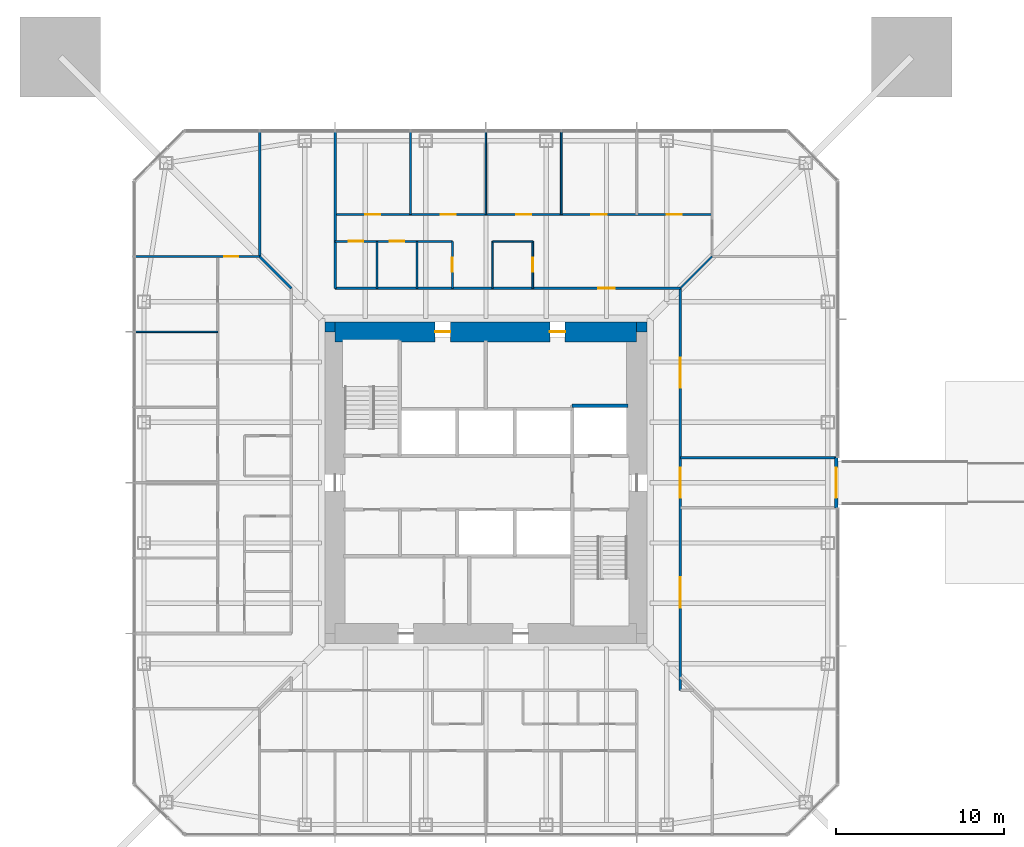
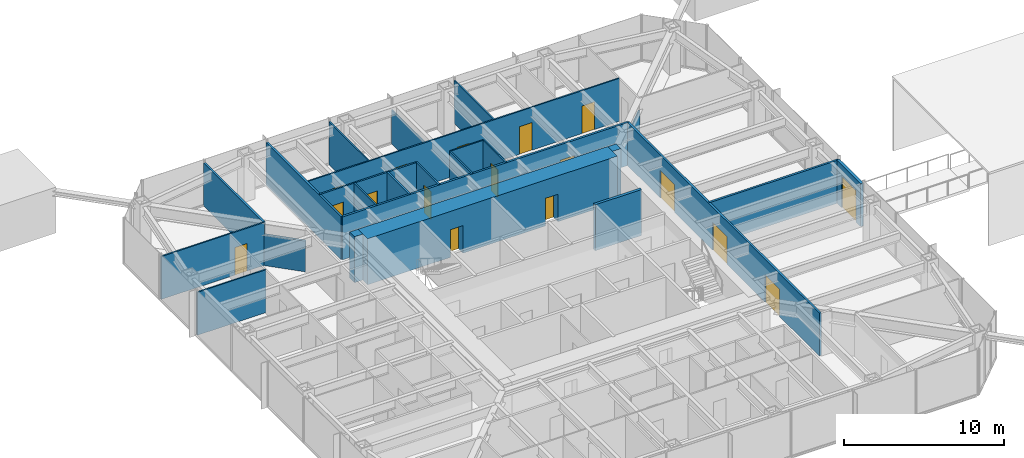
# One storey, part 14 of 23: 25 walls, 17 doors, 17 openings.
"""IFC4 building model written with IfcOpenShell, lengths in metres."""

from ifc_helpers import new_model, si_unit, direction, frame, frame_2d, origin, place, context, subcontext, project, spatial, rectangle, extrude, material, layer, layer_set, type_object, element, fill, save


model = new_model("IFC4")

# Units and contexts
model_context = context("Model", 3, precision=1e-05, world=origin(), true_north=direction((0.0, 1.0)))
body_context = subcontext(model_context, "Body", "Model", "MODEL_VIEW")
ifc_project = project(units=[si_unit("LENGTHUNIT", "METRE"), si_unit("AREAUNIT", "SQUARE_METRE"), si_unit("VOLUMEUNIT", "CUBIC_METRE"), si_unit("PLANEANGLEUNIT", "RADIAN"), si_unit("MASSUNIT", "GRAM", prefix="KILO")], contexts=[model_context])

# Site, building, storey
site_placement = place(None, origin())
site = spatial("IfcSite", under=ifc_project, at=site_placement, CompositionType="ELEMENT")
building_placement = place(site_placement, origin())
building = spatial("IfcBuilding", under=site, at=building_placement, Name="Iwan Alto Co-Living Towers", CompositionType="ELEMENT")
storey_placement = place(building_placement, frame((0.0, 0.0, 129.5)))
storey = spatial("IfcBuildingStorey", under=building, at=storey_placement, Name="L35", CompositionType="ELEMENT", Elevation=129.5)

# Wall, opening, door
ifc_material_1 = material(Name="Aluminium 6063-T6 bronze anodised", Category="aluminium")
ifc_layer_1 = layer(ifc_material_1, 0.030029296875, Name="Cladding", Category="Finish")
ifc_material_2 = material(Name="Steel ASTM A1003 ST33H cold-formed studs", Category="steel")
ifc_layer_2 = layer(ifc_material_2, 0.169921875, Name="Studs", Category="Framing")
ifc_layer_set_1 = layer_set([ifc_layer_1, ifc_layer_2], Name="BRIDGE END WALL 200")
wall_type_1 = type_object("IfcWallType", Name="BRIDGE END WALL 200", PredefinedType="SOLIDWALL", material=ifc_layer_set_1)
wall_1_placement = place(storey_placement, frame((20.89990234375, -1.5, 0.0), z_axis=(0.0, 0.0, 1.0), x_axis=(0.0, 1.0, 0.0)))
wall_1 = element("IfcWall", 1, at=wall_1_placement, inside=storey, type_object=wall_type_1, Name="T1 bridge end wall L35", PredefinedType="SOLIDWALL", context=body_context, shape_type="SweptSolid", body=[
    extrude(rectangle(XDim=3.0, YDim=0.199951171875, at=frame_2d((1.5, 0.0))), origin(), (0.0, 0.0, 1.0), 3.27001953125),
])
opening_1_placement = place(wall_1_placement, frame((0.60009765625, 0.0, 0.0)))
opening_1 = element("IfcOpeningElement", 2, at=opening_1_placement, cuts=wall_1, Name="Opening DE5", PredefinedType="OPENING", context=body_context, shape_type="SweptSolid", body=[
    extrude(rectangle(XDim=1.800048828125, YDim=2.39990234375, at=frame_2d((0.89990234375, 1.199951171875))), frame((0.0, 0.10986328125, 0.0), z_axis=(0.0, -1.0, 0.0), x_axis=(1.0, 0.0, 0.0)), (0.0, 0.0, 1.0), 0.219970703125),
])
ifc_material_3 = material(Name="Steel frame with glazed fire-rated leaves", Category="steel")
door_type_1 = type_object("IfcDoorType", Name="BRIDGE DOOR FD120S 1800X2400", OperationType="DOUBLE_DOOR_SINGLE_SWING", PredefinedType="DOOR", material=ifc_material_3)
door_1_placement = place(opening_1_placement, frame((1.800048828125, 0.0, 0.0), z_axis=(0.0, 0.0, 1.0), x_axis=(-1.0, 0.0, 0.0)))
door_1 = element("IfcDoor", 3, at=door_1_placement, inside=storey, type_object=door_type_1, Name="Bridge BR2 door L35", OperationType="DOUBLE_DOOR_SINGLE_SWING", OverallHeight=2.39990234375, OverallWidth=1.800048828125, PredefinedType="DOOR", context=body_context, shape_type="SweptSolid", body=[
    extrude(rectangle(XDim=1.800048828125, YDim=2.39990234375, at=frame_2d((0.89990234375, 1.199951171875))), frame((0.0, 0.02490234375, 0.0), z_axis=(0.0, -1.0, 0.0), x_axis=(1.0, 0.0, 0.0)), (0.0, 0.0, 1.0), 0.050048828125),
])
fill(opening_1, door_1)

# Wall
ifc_material_4 = material(Name="Gypsum board")
ifc_layer_3 = layer(ifc_material_4, 0.02490234375, Name="Board", Category="Finish")
ifc_layer_4 = layer(ifc_material_2, 0.10009765625, Name="Studs", Category="Framing")
ifc_layer_5 = layer(ifc_material_4, 0.02490234375, Name="Board", Category="Finish")
ifc_layer_set_2 = layer_set([ifc_layer_3, ifc_layer_4, ifc_layer_5], Name="CORRIDOR WALL 150")
wall_type_2 = type_object("IfcWallType", Name="CORRIDOR WALL 150", PredefinedType="PARTITIONING", material=ifc_layer_set_2)
wall_2_placement = place(storey_placement, frame((11.60009765625, 1.5, 0.0), z_axis=(0.0, 0.0, 1.0), x_axis=(1.0, 0.0, 0.0)))
element("IfcWall", 4, at=wall_2_placement, inside=storey, type_object=wall_type_2, Name="Partition L35", PredefinedType="PARTITIONING", context=body_context, shape_type="SweptSolid", body=[
    extrude(rectangle(XDim=9.33984375, YDim=0.14990234375, at=frame_2d((4.669921875, 0.0))), origin(), (0.0, 0.0, 1.0), 3.27001953125),
])

# Wall, opening, door
wall_3_placement = place(storey_placement, frame((-9.0, 11.60009765625, 0.0), z_axis=(0.0, 0.0, 1.0), x_axis=(1.0, 0.0, 0.0)))
wall_3 = element("IfcWall", 5, at=wall_3_placement, inside=storey, type_object=wall_type_2, Name="Partition L35", PredefinedType="PARTITIONING", context=body_context, shape_type="SweptSolid", body=[
    extrude(rectangle(XDim=20.60009765625, YDim=0.14990234375, at=frame_2d((10.300048828125, 0.0))), origin(), (0.0, 0.0, 1.0), 3.27001953125),
])
opening_2_placement = place(wall_3_placement, frame((15.699951171875, 0.0, 0.0)))
opening_2 = element("IfcOpeningElement", 6, at=opening_2_placement, cuts=wall_3, Name="Opening D3", PredefinedType="OPENING", context=body_context, shape_type="SweptSolid", body=[
    extrude(rectangle(XDim=1.0, YDim=2.10009765625, at=frame_2d((0.5, 1.050048828125))), frame((0.0, 0.0849609375, 0.0), z_axis=(0.0, -1.0, 0.0), x_axis=(1.0, 0.0, 0.0)), (0.0, 0.0, 1.0), 0.169921875),
])
ifc_material_5 = material(Name="Steel frame with timber leaf", Category="steel")
door_type_2 = type_object("IfcDoorType", Name="FLAT ENTRANCE DOOR FD30S 1000X2100", OperationType="SINGLE_SWING_LEFT", PredefinedType="DOOR", material=ifc_material_5)
door_2_placement = place(opening_2_placement, origin())
door_2 = element("IfcDoor", 7, at=door_2_placement, inside=storey, type_object=door_type_2, Name="Cluster lounge door L35", OperationType="SINGLE_SWING_LEFT", OverallHeight=2.10009765625, OverallWidth=1.0, PredefinedType="DOOR", context=body_context, shape_type="SweptSolid", body=[
    extrude(rectangle(XDim=1.0, YDim=2.10009765625, at=frame_2d((0.5, 1.050048828125))), frame((0.0, 0.02490234375, 0.0), z_axis=(0.0, -1.0, 0.0), x_axis=(1.0, 0.0, 0.0)), (0.0, 0.0, 1.0), 0.050048828125),
])
fill(opening_2, door_2)

# Wall, openings, doors
wall_4_placement = place(storey_placement, frame((11.60009765625, -12.39990234375, 0.0), z_axis=(0.0, 0.0, 1.0), x_axis=(0.0, 1.0, 0.0)))
wall_4 = element("IfcWall", 8, at=wall_4_placement, inside=storey, type_object=wall_type_2, Name="Partition L35", PredefinedType="PARTITIONING", context=body_context, shape_type="SweptSolid", body=[
    extrude(rectangle(XDim=24.0, YDim=0.14990234375, at=frame_2d((12.0, 0.0))), origin(), (0.0, 0.0, 1.0), 3.27001953125),
])
opening_3_placement = place(wall_4_placement, frame((4.949951171875, 0.0, 0.0)))
opening_3 = element("IfcOpeningElement", 9, at=opening_3_placement, cuts=wall_4, Name="Opening D9", PredefinedType="OPENING", context=body_context, shape_type="SweptSolid", body=[
    extrude(rectangle(XDim=1.800048828125, YDim=2.10009765625, at=frame_2d((0.89990234375, 1.050048828125))), frame((0.0, 0.0849609375, 0.0), z_axis=(0.0, -1.0, 0.0), x_axis=(1.0, 0.0, 0.0)), (0.0, 0.0, 1.0), 0.169921875),
])
opening_4_placement = place(wall_4_placement, frame((11.5, 0.0, 0.0)))
opening_4 = element("IfcOpeningElement", 10, at=opening_4_placement, cuts=wall_4, Name="Opening D9", PredefinedType="OPENING", context=body_context, shape_type="SweptSolid", body=[
    extrude(rectangle(XDim=1.800048828125, YDim=2.10009765625, at=frame_2d((0.89990234375, 1.050048828125))), frame((0.0, 0.0849609375, 0.0), z_axis=(0.0, -1.0, 0.0), x_axis=(1.0, 0.0, 0.0)), (0.0, 0.0, 1.0), 0.169921875),
])
opening_5_placement = place(wall_4_placement, frame((18.050048828125, 0.0, 0.0)))
opening_5 = element("IfcOpeningElement", 11, at=opening_5_placement, cuts=wall_4, Name="Opening D9", PredefinedType="OPENING", context=body_context, shape_type="SweptSolid", body=[
    extrude(rectangle(XDim=1.800048828125, YDim=2.10009765625, at=frame_2d((0.89990234375, 1.050048828125))), frame((0.0, 0.0849609375, 0.0), z_axis=(0.0, -1.0, 0.0), x_axis=(1.0, 0.0, 0.0)), (0.0, 0.0, 1.0), 0.169921875),
])
ifc_material_6 = material(Name="Steel frame with timber leaf", Category="steel")
door_type_3 = type_object("IfcDoorType", Name="LOUNGE DOOR FD30S 1800X2100", OperationType="DOUBLE_DOOR_SINGLE_SWING", PredefinedType="DOOR", material=ifc_material_6)
door_3_placement = place(opening_3_placement, frame((1.800048828125, 0.0, 0.0), z_axis=(0.0, 0.0, 1.0), x_axis=(-1.0, 0.0, 0.0)))
door_3 = element("IfcDoor", 12, at=door_3_placement, inside=storey, type_object=door_type_3, Name="Study sky lounge door L35", OperationType="DOUBLE_DOOR_SINGLE_SWING", OverallHeight=2.10009765625, OverallWidth=1.800048828125, PredefinedType="DOOR", context=body_context, shape_type="SweptSolid", body=[
    extrude(rectangle(XDim=1.800048828125, YDim=2.10009765625, at=frame_2d((0.89990234375, 1.050048828125))), frame((0.0, 0.02490234375, 0.0), z_axis=(0.0, -1.0, 0.0), x_axis=(1.0, 0.0, 0.0)), (0.0, 0.0, 1.0), 0.050048828125),
])
fill(opening_3, door_3)
door_4_placement = place(opening_4_placement, origin())
door_4 = element("IfcDoor", 13, at=door_4_placement, inside=storey, type_object=door_type_3, Name="Bridge lobby door L35", OperationType="DOUBLE_DOOR_SINGLE_SWING", OverallHeight=2.10009765625, OverallWidth=1.800048828125, PredefinedType="DOOR", context=body_context, shape_type="SweptSolid", body=[
    extrude(rectangle(XDim=1.800048828125, YDim=2.10009765625, at=frame_2d((0.89990234375, 1.050048828125))), frame((0.0, 0.02490234375, 0.0), z_axis=(0.0, -1.0, 0.0), x_axis=(1.0, 0.0, 0.0)), (0.0, 0.0, 1.0), 0.050048828125),
])
fill(opening_4, door_4)
door_5_placement = place(opening_5_placement, frame((1.800048828125, 0.0, 0.0), z_axis=(0.0, 0.0, 1.0), x_axis=(-1.0, 0.0, 0.0)))
door_5 = element("IfcDoor", 14, at=door_5_placement, inside=storey, type_object=door_type_3, Name="Quiet study room door L35", OperationType="DOUBLE_DOOR_SINGLE_SWING", OverallHeight=2.10009765625, OverallWidth=1.800048828125, PredefinedType="DOOR", context=body_context, shape_type="SweptSolid", body=[
    extrude(rectangle(XDim=1.800048828125, YDim=2.10009765625, at=frame_2d((0.89990234375, 1.050048828125))), frame((0.0, 0.02490234375, 0.0), z_axis=(0.0, -1.0, 0.0), x_axis=(1.0, 0.0, 0.0)), (0.0, 0.0, 1.0), 0.050048828125),
])
fill(opening_5, door_5)

# Walls
wall_5_placement = place(storey_placement, frame((-9.0, 11.60009765625, 0.0), z_axis=(0.0, 0.0, 1.0), x_axis=(0.0, 1.0, 0.0)))
element("IfcWall", 15, at=wall_5_placement, inside=storey, type_object=wall_type_2, Name="Partition L35", PredefinedType="PARTITIONING", context=body_context, shape_type="SweptSolid", body=[
    extrude(rectangle(XDim=9.33984375, YDim=0.14990234375, at=frame_2d((4.669921875, 0.0))), origin(), (0.0, 0.0, 1.0), 3.27001953125),
])
wall_6_placement = place(storey_placement, frame((-13.5, 13.5, 0.0), z_axis=(0.0, 0.0, 1.0), x_axis=(0.0, 1.0, 0.0)))
element("IfcWall", 16, at=wall_6_placement, inside=storey, type_object=wall_type_2, Name="Partition L35", PredefinedType="PARTITIONING", context=body_context, shape_type="SweptSolid", body=[
    extrude(rectangle(XDim=7.43994140625, YDim=0.14990234375, at=frame_2d((3.719970703125, 0.0))), origin(), (0.0, 0.0, 1.0), 3.27001953125),
])
wall_7_placement = place(storey_placement, frame((-11.60009765625, 11.60009765625, 0.0), z_axis=(0.0, 0.0, 1.0), x_axis=(-0.707106781187, 0.707106781187, 0.0)))
element("IfcWall", 17, at=wall_7_placement, inside=storey, type_object=wall_type_2, Name="Partition L35", PredefinedType="PARTITIONING", context=body_context, shape_type="SweptSolid", body=[
    extrude(rectangle(XDim=2.686767578125, YDim=0.14990234375, at=frame_2d((1.34326171875, 0.0))), origin(), (0.0, 0.0, 1.0), 2.343017578125),
])
ifc_layer_6 = layer(ifc_material_4, 0.012451171875, Name="Board", Category="Finish")
ifc_layer_7 = layer(ifc_material_2, 0.074951171875, Name="Studs", Category="Framing")
ifc_layer_8 = layer(ifc_material_4, 0.012451171875, Name="Board", Category="Finish")
ifc_layer_set_3 = layer_set([ifc_layer_6, ifc_layer_7, ifc_layer_8], Name="PARTITION 100")
wall_type_3 = type_object("IfcWallType", Name="PARTITION 100", PredefinedType="PARTITIONING", material=ifc_layer_set_3)
wall_8_placement = place(storey_placement, frame((-20.93994140625, 9.0, 0.0), z_axis=(0.0, 0.0, 1.0), x_axis=(1.0, 0.0, 0.0)))
element("IfcWall", 18, at=wall_8_placement, inside=storey, type_object=wall_type_3, Name="Partition L35", PredefinedType="PARTITIONING", context=body_context, shape_type="SweptSolid", body=[
    extrude(rectangle(XDim=4.93994140625, YDim=0.10009765625, at=frame_2d((2.469970703125, 0.0))), origin(), (0.0, 0.0, 1.0), 3.27001953125),
])

# Wall, opening, door
wall_9_placement = place(storey_placement, frame((-20.93994140625, 13.5, 0.0), z_axis=(0.0, 0.0, 1.0), x_axis=(1.0, 0.0, 0.0)))
wall_9 = element("IfcWall", 19, at=wall_9_placement, inside=storey, type_object=wall_type_3, Name="Partition L35", PredefinedType="PARTITIONING", context=body_context, shape_type="SweptSolid", body=[
    extrude(rectangle(XDim=7.43994140625, YDim=0.10009765625, at=frame_2d((3.719970703125, 0.0))), origin(), (0.0, 0.0, 1.0), 3.27001953125),
])
opening_6_placement = place(wall_9_placement, frame((5.31494140625, 0.0, 0.0)))
opening_6 = element("IfcOpeningElement", 20, at=opening_6_placement, cuts=wall_9, Name="Opening D2", PredefinedType="OPENING", context=body_context, shape_type="SweptSolid", body=[
    extrude(rectangle(XDim=0.85009765625, YDim=2.10009765625, at=frame_2d((0.425048828125, 1.050048828125))), frame((0.0, 0.06005859375, 0.0), z_axis=(0.0, -1.0, 0.0), x_axis=(1.0, 0.0, 0.0)), (0.0, 0.0, 1.0), 0.1201171875),
])
ifc_material_7 = material(Name="Timber leaf in steel frame", Category="steel")
door_type_4 = type_object("IfcDoorType", Name="ROOM DOOR 850X2100", OperationType="SINGLE_SWING_LEFT", PredefinedType="DOOR", material=ifc_material_7)
door_6_placement = place(opening_6_placement, frame((0.85009765625, 0.0, 0.0), z_axis=(0.0, 0.0, 1.0), x_axis=(-1.0, 0.0, 0.0)))
door_6 = element("IfcDoor", 21, at=door_6_placement, inside=storey, type_object=door_type_4, Name="Shared kitchen and lounge door L35", OperationType="SINGLE_SWING_RIGHT", OverallHeight=2.10009765625, OverallWidth=0.85009765625, PredefinedType="DOOR", context=body_context, shape_type="SweptSolid", body=[
    extrude(rectangle(XDim=0.85009765625, YDim=2.10009765625, at=frame_2d((0.425048828125, 1.050048828125))), frame((0.0, 0.02490234375, 0.0), z_axis=(0.0, -1.0, 0.0), x_axis=(1.0, 0.0, 0.0)), (0.0, 0.0, 1.0), 0.050048828125),
])
fill(opening_6, door_6)

# Wall
wall_10_placement = place(storey_placement, frame((0.39990234375, 14.39990234375, 0.0), z_axis=(0.0, 0.0, 1.0), x_axis=(1.0, 0.0, 0.0)))
element("IfcWall", 22, at=wall_10_placement, inside=storey, type_object=wall_type_3, Name="Partition L35", PredefinedType="PARTITIONING", context=body_context, shape_type="SweptSolid", body=[
    extrude(rectangle(XDim=2.400146484375, YDim=0.10009765625, at=frame_2d((1.2001953125, 0.0))), origin(), (0.0, 0.0, 1.0), 3.27001953125),
])

# Wall, openings, doors
wall_11_placement = place(storey_placement, frame((-9.0, 16.0, 0.0), z_axis=(0.0, 0.0, 1.0), x_axis=(1.0, 0.0, 0.0)))
wall_11 = element("IfcWall", 23, at=wall_11_placement, inside=storey, type_object=wall_type_3, Name="Partition L35", PredefinedType="PARTITIONING", context=body_context, shape_type="SweptSolid", body=[
    extrude(rectangle(XDim=22.5, YDim=0.10009765625, at=frame_2d((11.25, 0.0))), origin(), (0.0, 0.0, 1.0), 3.27001953125),
])
opening_7_placement = place(wall_11_placement, frame((19.800048828125, 0.0, 0.0)))
opening_7 = element("IfcOpeningElement", 24, at=opening_7_placement, cuts=wall_11, Name="Opening D1", PredefinedType="OPENING", context=body_context, shape_type="SweptSolid", body=[
    extrude(rectangle(XDim=0.89990234375, YDim=2.10009765625, at=frame_2d((0.449951171875, 1.050048828125))), frame((0.0, 0.06005859375, 0.0), z_axis=(0.0, -1.0, 0.0), x_axis=(1.0, 0.0, 0.0)), (0.0, 0.0, 1.0), 0.1201171875),
])
opening_8_placement = place(wall_11_placement, frame((15.300048828125, 0.0, 0.0)))
opening_8 = element("IfcOpeningElement", 25, at=opening_8_placement, cuts=wall_11, Name="Opening D1", PredefinedType="OPENING", context=body_context, shape_type="SweptSolid", body=[
    extrude(rectangle(XDim=0.89990234375, YDim=2.10009765625, at=frame_2d((0.449951171875, 1.050048828125))), frame((0.0, 0.06005859375, 0.0), z_axis=(0.0, -1.0, 0.0), x_axis=(1.0, 0.0, 0.0)), (0.0, 0.0, 1.0), 0.1201171875),
])
opening_9_placement = place(wall_11_placement, frame((10.800048828125, 0.0, 0.0)))
opening_9 = element("IfcOpeningElement", 26, at=opening_9_placement, cuts=wall_11, Name="Opening D1", PredefinedType="OPENING", context=body_context, shape_type="SweptSolid", body=[
    extrude(rectangle(XDim=0.89990234375, YDim=2.10009765625, at=frame_2d((0.449951171875, 1.050048828125))), frame((0.0, 0.06005859375, 0.0), z_axis=(0.0, -1.0, 0.0), x_axis=(1.0, 0.0, 0.0)), (0.0, 0.0, 1.0), 0.1201171875),
])
opening_10_placement = place(wall_11_placement, frame((6.300048828125, 0.0, 0.0)))
opening_10 = element("IfcOpeningElement", 27, at=opening_10_placement, cuts=wall_11, Name="Opening D1", PredefinedType="OPENING", context=body_context, shape_type="SweptSolid", body=[
    extrude(rectangle(XDim=0.89990234375, YDim=2.10009765625, at=frame_2d((0.449951171875, 1.050048828125))), frame((0.0, 0.06005859375, 0.0), z_axis=(0.0, -1.0, 0.0), x_axis=(1.0, 0.0, 0.0)), (0.0, 0.0, 1.0), 0.1201171875),
])
opening_11_placement = place(wall_11_placement, frame((1.800048828125, 0.0, 0.0)))
opening_11 = element("IfcOpeningElement", 28, at=opening_11_placement, cuts=wall_11, Name="Opening D1", PredefinedType="OPENING", context=body_context, shape_type="SweptSolid", body=[
    extrude(rectangle(XDim=0.89990234375, YDim=2.10009765625, at=frame_2d((0.449951171875, 1.050048828125))), frame((0.0, 0.06005859375, 0.0), z_axis=(0.0, -1.0, 0.0), x_axis=(1.0, 0.0, 0.0)), (0.0, 0.0, 1.0), 0.1201171875),
])
ifc_material_8 = material(Name="Timber leaf in steel frame", Category="steel")
door_type_5 = type_object("IfcDoorType", Name="BEDROOM DOOR 900X2100", OperationType="SINGLE_SWING_LEFT", PredefinedType="DOOR", material=ifc_material_8)
door_7_placement = place(opening_7_placement, frame((0.89990234375, 0.0, 0.0), z_axis=(0.0, 0.0, 1.0), x_axis=(-1.0, 0.0, 0.0)))
door_7 = element("IfcDoor", 29, at=door_7_placement, inside=storey, type_object=door_type_5, Name="Study bedroom door L35", OperationType="SINGLE_SWING_LEFT", OverallHeight=2.10009765625, OverallWidth=0.89990234375, PredefinedType="DOOR", context=body_context, shape_type="SweptSolid", body=[
    extrude(rectangle(XDim=0.89990234375, YDim=2.10009765625, at=frame_2d((0.449951171875, 1.050048828125))), frame((0.0, 0.02490234375, 0.0), z_axis=(0.0, -1.0, 0.0), x_axis=(1.0, 0.0, 0.0)), (0.0, 0.0, 1.0), 0.050048828125),
])
fill(opening_7, door_7)
door_8_placement = place(opening_8_placement, frame((0.89990234375, 0.0, 0.0), z_axis=(0.0, 0.0, 1.0), x_axis=(-1.0, 0.0, 0.0)))
door_8 = element("IfcDoor", 30, at=door_8_placement, inside=storey, type_object=door_type_5, Name="Study bedroom door L35", OperationType="SINGLE_SWING_LEFT", OverallHeight=2.10009765625, OverallWidth=0.89990234375, PredefinedType="DOOR", context=body_context, shape_type="SweptSolid", body=[
    extrude(rectangle(XDim=0.89990234375, YDim=2.10009765625, at=frame_2d((0.449951171875, 1.050048828125))), frame((0.0, 0.02490234375, 0.0), z_axis=(0.0, -1.0, 0.0), x_axis=(1.0, 0.0, 0.0)), (0.0, 0.0, 1.0), 0.050048828125),
])
fill(opening_8, door_8)
door_9_placement = place(opening_9_placement, frame((0.89990234375, 0.0, 0.0), z_axis=(0.0, 0.0, 1.0), x_axis=(-1.0, 0.0, 0.0)))
door_9 = element("IfcDoor", 31, at=door_9_placement, inside=storey, type_object=door_type_5, Name="Study bedroom door L35", OperationType="SINGLE_SWING_RIGHT", OverallHeight=2.10009765625, OverallWidth=0.89990234375, PredefinedType="DOOR", context=body_context, shape_type="SweptSolid", body=[
    extrude(rectangle(XDim=0.89990234375, YDim=2.10009765625, at=frame_2d((0.449951171875, 1.050048828125))), frame((0.0, 0.02490234375, 0.0), z_axis=(0.0, -1.0, 0.0), x_axis=(1.0, 0.0, 0.0)), (0.0, 0.0, 1.0), 0.050048828125),
])
fill(opening_9, door_9)
door_10_placement = place(opening_10_placement, frame((0.89990234375, 0.0, 0.0), z_axis=(0.0, 0.0, 1.0), x_axis=(-1.0, 0.0, 0.0)))
door_10 = element("IfcDoor", 32, at=door_10_placement, inside=storey, type_object=door_type_5, Name="Study bedroom door L35", OperationType="SINGLE_SWING_RIGHT", OverallHeight=2.10009765625, OverallWidth=0.89990234375, PredefinedType="DOOR", context=body_context, shape_type="SweptSolid", body=[
    extrude(rectangle(XDim=0.89990234375, YDim=2.10009765625, at=frame_2d((0.449951171875, 1.050048828125))), frame((0.0, 0.02490234375, 0.0), z_axis=(0.0, -1.0, 0.0), x_axis=(1.0, 0.0, 0.0)), (0.0, 0.0, 1.0), 0.050048828125),
])
fill(opening_10, door_10)
door_11_placement = place(opening_11_placement, frame((0.89990234375, 0.0, 0.0), z_axis=(0.0, 0.0, 1.0), x_axis=(-1.0, 0.0, 0.0)))
door_11 = element("IfcDoor", 33, at=door_11_placement, inside=storey, type_object=door_type_5, Name="Study bedroom door L35", OperationType="SINGLE_SWING_RIGHT", OverallHeight=2.10009765625, OverallWidth=0.89990234375, PredefinedType="DOOR", context=body_context, shape_type="SweptSolid", body=[
    extrude(rectangle(XDim=0.89990234375, YDim=2.10009765625, at=frame_2d((0.449951171875, 1.050048828125))), frame((0.0, 0.02490234375, 0.0), z_axis=(0.0, -1.0, 0.0), x_axis=(1.0, 0.0, 0.0)), (0.0, 0.0, 1.0), 0.050048828125),
])
fill(opening_11, door_11)

# Walls
wall_12_placement = place(storey_placement, frame((11.60009765625, 11.60009765625, 0.0), z_axis=(0.0, 0.0, 1.0), x_axis=(0.707106781187, 0.707106781187, 0.0)))
element("IfcWall", 34, at=wall_12_placement, inside=storey, type_object=wall_type_3, Name="Partition L35", PredefinedType="PARTITIONING", context=body_context, shape_type="SweptSolid", body=[
    extrude(rectangle(XDim=2.686767578125, YDim=0.10009765625, at=frame_2d((1.34326171875, 0.0))), origin(), (0.0, 0.0, 1.0), 2.343017578125),
])
wall_13_placement = place(storey_placement, frame((4.5, 16.0, 0.0), z_axis=(0.0, 0.0, 1.0), x_axis=(0.0, 1.0, 0.0)))
element("IfcWall", 35, at=wall_13_placement, inside=storey, type_object=wall_type_3, Name="Partition L35", PredefinedType="PARTITIONING", context=body_context, shape_type="SweptSolid", body=[
    extrude(rectangle(XDim=4.93994140625, YDim=0.10009765625, at=frame_2d((2.469970703125, 0.0))), origin(), (0.0, 0.0, 1.0), 3.27001953125),
])

# Wall, opening, door
wall_14_placement = place(storey_placement, frame((2.800048828125, 11.60009765625, 0.0), z_axis=(0.0, 0.0, 1.0), x_axis=(0.0, 1.0, 0.0)))
wall_14 = element("IfcWall", 36, at=wall_14_placement, inside=storey, type_object=wall_type_3, Name="Partition L35", PredefinedType="PARTITIONING", context=body_context, shape_type="SweptSolid", body=[
    extrude(rectangle(XDim=2.7998046875, YDim=0.10009765625, at=frame_2d((1.39990234375, 0.0))), origin(), (0.0, 0.0, 1.0), 3.27001953125),
])
opening_12_placement = place(wall_14_placement, frame((0.97509765625, 0.0, 0.0)))
opening_12 = element("IfcOpeningElement", 37, at=opening_12_placement, cuts=wall_14, Name="Opening D2", PredefinedType="OPENING", context=body_context, shape_type="SweptSolid", body=[
    extrude(rectangle(XDim=0.85009765625, YDim=2.10009765625, at=frame_2d((0.425048828125, 1.050048828125))), frame((0.0, 0.06005859375, 0.0), z_axis=(0.0, -1.0, 0.0), x_axis=(1.0, 0.0, 0.0)), (0.0, 0.0, 1.0), 0.1201171875),
])
door_12_placement = place(opening_12_placement, frame((0.85009765625, 0.0, 0.0), z_axis=(0.0, 0.0, 1.0), x_axis=(-1.0, 0.0, 0.0)))
door_12 = element("IfcDoor", 38, at=door_12_placement, inside=storey, type_object=door_type_4, Name="Store room door L35", OperationType="SINGLE_SWING_RIGHT", OverallHeight=2.10009765625, OverallWidth=0.85009765625, PredefinedType="DOOR", context=body_context, shape_type="SweptSolid", body=[
    extrude(rectangle(XDim=0.85009765625, YDim=2.10009765625, at=frame_2d((0.425048828125, 1.050048828125))), frame((0.0, 0.02490234375, 0.0), z_axis=(0.0, -1.0, 0.0), x_axis=(1.0, 0.0, 0.0)), (0.0, 0.0, 1.0), 0.050048828125),
])
fill(opening_12, door_12)

# Walls
wall_15_placement = place(storey_placement, frame((0.39990234375, 11.60009765625, 0.0), z_axis=(0.0, 0.0, 1.0), x_axis=(0.0, 1.0, 0.0)))
element("IfcWall", 39, at=wall_15_placement, inside=storey, type_object=wall_type_3, Name="Partition L35", PredefinedType="PARTITIONING", context=body_context, shape_type="SweptSolid", body=[
    extrude(rectangle(XDim=2.7998046875, YDim=0.10009765625, at=frame_2d((1.39990234375, 0.0))), origin(), (0.0, 0.0, 1.0), 3.27001953125),
])
wall_16_placement = place(storey_placement, frame((0.0, 16.0, 0.0), z_axis=(0.0, 0.0, 1.0), x_axis=(0.0, 1.0, 0.0)))
element("IfcWall", 40, at=wall_16_placement, inside=storey, type_object=wall_type_3, Name="Partition L35", PredefinedType="PARTITIONING", context=body_context, shape_type="SweptSolid", body=[
    extrude(rectangle(XDim=4.93994140625, YDim=0.10009765625, at=frame_2d((2.469970703125, 0.0))), origin(), (0.0, 0.0, 1.0), 2.586669921875),
])
wall_17_placement = place(storey_placement, frame((-4.5, 16.0, 0.0), z_axis=(0.0, 0.0, 1.0), x_axis=(0.0, 1.0, 0.0)))
element("IfcWall", 41, at=wall_17_placement, inside=storey, type_object=wall_type_3, Name="Partition L35", PredefinedType="PARTITIONING", context=body_context, shape_type="SweptSolid", body=[
    extrude(rectangle(XDim=4.93994140625, YDim=0.10009765625, at=frame_2d((2.469970703125, 0.0))), origin(), (0.0, 0.0, 1.0), 3.27001953125),
])
ifc_material_9 = material(Name="Concrete f'c 70 MPa", Category="concrete")
ifc_layer_9 = layer(ifc_material_9, 0.199951171875)
ifc_layer_set_4 = layer_set([ifc_layer_9], Name="SHAFT WALL 200")
wall_type_4 = type_object("IfcWallType", Name="SHAFT WALL 200", PredefinedType="SOLIDWALL", material=ifc_layer_set_4)
wall_18_placement = place(storey_placement, frame((5.14990234375, 4.60009765625, 0.0), z_axis=(0.0, 0.0, 1.0), x_axis=(1.0, 0.0, 0.0)))
element("IfcWall", 42, at=wall_18_placement, inside=storey, type_object=wall_type_4, Name="Shaft wall L35", PredefinedType="SOLIDWALL", context=body_context, shape_type="SweptSolid", body=[
    extrude(rectangle(XDim=3.340087890625, YDim=0.199951171875, at=frame_2d((1.669921875, 0.0))), origin(), (0.0, 0.0, 1.0), 3.5),
])
ifc_material_10 = material(Name="Concrete f'c 70 MPa", Category="concrete")
ifc_layer_10 = layer(ifc_material_10, 0.60009765625)
ifc_layer_set_5 = layer_set([ifc_layer_10], Name="T1 CORE CORNER FILL 600")
wall_type_5 = type_object("IfcWallType", Name="T1 CORE CORNER FILL 600", PredefinedType="SOLIDWALL", material=ifc_layer_set_5)
for number, where, z_axis, x_axis, name in (
    (43, (9.0, 9.300048828125, 0.0), (0.0, 0.0, 1.0), (1.0, 0.0, 0.0), "T1 core corner NE L35"),
    (44, (-9.60009765625, 9.300048828125, 0.0), (0.0, 0.0, 1.0), (1.0, 0.0, 0.0), "T1 core corner NW L35"),
):
    element("IfcWall", number, at=place(storey_placement, frame(where, z_axis=z_axis, x_axis=x_axis)), inside=storey, type_object=wall_type_5, Name=name, PredefinedType="SOLIDWALL", context=body_context, shape_type="SweptSolid", body=[
        extrude(rectangle(XDim=0.60009765625, YDim=0.60009765625, at=frame_2d((0.300048828125, 0.0))), origin(), (0.0, 0.0, 1.0), 3.5),
    ])

# Wall, openings, doors
ifc_material_11 = material(Name="Concrete f'c 70 MPa", Category="concrete")
ifc_layer_11 = layer(ifc_material_11, 1.199951171875)
ifc_layer_set_6 = layer_set([ifc_layer_11], Name="T1 CORE WALL 1200")
wall_type_6 = type_object("IfcWallType", Name="T1 CORE WALL 1200", PredefinedType="SHEAR", material=ifc_layer_set_6)
wall_19_placement = place(storey_placement, frame((9.0, 9.0, 0.0), z_axis=(0.0, 0.0, 1.0), x_axis=(-1.0, 0.0, 0.0)))
wall_19 = element("IfcWall", 45, at=wall_19_placement, inside=storey, type_object=wall_type_6, Name="T1 core wall N L35", PredefinedType="SHEAR", context=body_context, shape_type="SweptSolid", body=[
    extrude(rectangle(XDim=18.0, YDim=1.199951171875, at=frame_2d((9.0, 0.0))), origin(), (0.0, 0.0, 1.0), 3.5),
])
opening_13_placement = place(wall_19_placement, frame((11.125, 0.0, 0.0)))
opening_13 = element("IfcOpeningElement", 46, at=opening_13_placement, cuts=wall_19, Name="Opening D8", PredefinedType="OPENING", context=body_context, shape_type="SweptSolid", body=[
    extrude(rectangle(XDim=0.89990234375, YDim=2.10009765625, at=frame_2d((0.449951171875, 1.050048828125))), frame((0.0, 0.60986328125, 0.0), z_axis=(0.0, -1.0, 0.0), x_axis=(1.0, 0.0, 0.0)), (0.0, 0.0, 1.0), 1.219970703125),
])
opening_14_placement = place(wall_19_placement, frame((4.27490234375, 0.0, 0.0)))
opening_14 = element("IfcOpeningElement", 47, at=opening_14_placement, cuts=wall_19, Name="Opening D8", PredefinedType="OPENING", context=body_context, shape_type="SweptSolid", body=[
    extrude(rectangle(XDim=0.89990234375, YDim=2.10009765625, at=frame_2d((0.449951171875, 1.050048828125))), frame((0.0, 0.60986328125, 0.0), z_axis=(0.0, -1.0, 0.0), x_axis=(1.0, 0.0, 0.0)), (0.0, 0.0, 1.0), 1.219970703125),
])
ifc_material_12 = material(Name="Steel frame with timber leaf", Category="steel")
door_type_6 = type_object("IfcDoorType", Name="RISER DOOR FD120 900X2100", OperationType="SINGLE_SWING_LEFT", PredefinedType="DOOR", material=ifc_material_12)
door_13_placement = place(opening_13_placement, origin())
door_13 = element("IfcDoor", 48, at=door_13_placement, inside=storey, type_object=door_type_6, Name="Electrical riser core door L35", OperationType="SINGLE_SWING_RIGHT", OverallHeight=2.10009765625, OverallWidth=0.89990234375, PredefinedType="DOOR", context=body_context, shape_type="SweptSolid", body=[
    extrude(rectangle(XDim=0.89990234375, YDim=2.10009765625, at=frame_2d((0.449951171875, 1.050048828125))), frame((0.0, 0.02490234375, 0.0), z_axis=(0.0, -1.0, 0.0), x_axis=(1.0, 0.0, 0.0)), (0.0, 0.0, 1.0), 0.050048828125),
])
fill(opening_13, door_13)
door_14_placement = place(opening_14_placement, origin())
door_14 = element("IfcDoor", 49, at=door_14_placement, inside=storey, type_object=door_type_6, Name="Water and drainage riser core door L35", OperationType="SINGLE_SWING_RIGHT", OverallHeight=2.10009765625, OverallWidth=0.89990234375, PredefinedType="DOOR", context=body_context, shape_type="SweptSolid", body=[
    extrude(rectangle(XDim=0.89990234375, YDim=2.10009765625, at=frame_2d((0.449951171875, 1.050048828125))), frame((0.0, 0.02490234375, 0.0), z_axis=(0.0, -1.0, 0.0), x_axis=(1.0, 0.0, 0.0)), (0.0, 0.0, 1.0), 0.050048828125),
])
fill(opening_14, door_14)

ifc_material_13 = material(Name="Cement board")
ifc_layer_12 = layer(ifc_material_13, 0.012451171875, Name="Board", Category="Finish")
ifc_layer_13 = layer(ifc_material_2, 0.094970703125, Name="Studs", Category="Framing")
ifc_layer_14 = layer(ifc_material_13, 0.012451171875, Name="Board", Category="Finish")
ifc_layer_set_7 = layer_set([ifc_layer_12, ifc_layer_13, ifc_layer_14], Name="WET AREA PARTITION 120")
wall_type_7 = type_object("IfcWallType", Name="WET AREA PARTITION 120", PredefinedType="PARTITIONING", material=ifc_layer_set_7)
wall_20_placement = place(storey_placement, frame((-9.0, 14.39990234375, 0.0), z_axis=(0.0, 0.0, 1.0), x_axis=(1.0, 0.0, 0.0)))
wall_20 = element("IfcWall", 50, at=wall_20_placement, inside=storey, type_object=wall_type_7, Name="Partition L35", PredefinedType="PARTITIONING", context=body_context, shape_type="SweptSolid", body=[
    extrude(rectangle(XDim=7.0, YDim=0.1201171875, at=frame_2d((3.5, 0.0))), origin(), (0.0, 0.0, 1.0), 3.27001953125),
])
opening_15_placement = place(wall_20_placement, frame((3.27490234375, 0.0, 0.0)))
opening_15 = element("IfcOpeningElement", 51, at=opening_15_placement, cuts=wall_20, Name="Opening D2", PredefinedType="OPENING", context=body_context, shape_type="SweptSolid", body=[
    extrude(rectangle(XDim=0.85009765625, YDim=2.10009765625, at=frame_2d((0.425048828125, 1.050048828125))), frame((0.0, 0.070068359375, 0.0), z_axis=(0.0, -1.0, 0.0), x_axis=(1.0, 0.0, 0.0)), (0.0, 0.0, 1.0), 0.14013671875),
])
opening_16_placement = place(wall_20_placement, frame((0.824951171875, 0.0, 0.0)))
opening_16 = element("IfcOpeningElement", 52, at=opening_16_placement, cuts=wall_20, Name="Opening D2", PredefinedType="OPENING", context=body_context, shape_type="SweptSolid", body=[
    extrude(rectangle(XDim=0.85009765625, YDim=2.10009765625, at=frame_2d((0.425048828125, 1.050048828125))), frame((0.0, 0.070068359375, 0.0), z_axis=(0.0, -1.0, 0.0), x_axis=(1.0, 0.0, 0.0)), (0.0, 0.0, 1.0), 0.14013671875),
])
door_15_placement = place(opening_15_placement, origin())
door_15 = element("IfcDoor", 53, at=door_15_placement, inside=storey, type_object=door_type_4, Name="Accessible bathroom door L35", OperationType="SINGLE_SWING_LEFT", OverallHeight=2.10009765625, OverallWidth=0.85009765625, PredefinedType="DOOR", context=body_context, shape_type="SweptSolid", body=[
    extrude(rectangle(XDim=0.85009765625, YDim=2.10009765625, at=frame_2d((0.425048828125, 1.050048828125))), frame((0.0, 0.02490234375, 0.0), z_axis=(0.0, -1.0, 0.0), x_axis=(1.0, 0.0, 0.0)), (0.0, 0.0, 1.0), 0.050048828125),
])
fill(opening_15, door_15)
door_16_placement = place(opening_16_placement, origin())
door_16 = element("IfcDoor", 54, at=door_16_placement, inside=storey, type_object=door_type_4, Name="Laundry door L35", OperationType="SINGLE_SWING_LEFT", OverallHeight=2.10009765625, OverallWidth=0.85009765625, PredefinedType="DOOR", context=body_context, shape_type="SweptSolid", body=[
    extrude(rectangle(XDim=0.85009765625, YDim=2.10009765625, at=frame_2d((0.425048828125, 1.050048828125))), frame((0.0, 0.02490234375, 0.0), z_axis=(0.0, -1.0, 0.0), x_axis=(1.0, 0.0, 0.0)), (0.0, 0.0, 1.0), 0.050048828125),
])
fill(opening_16, door_16)

# Wall, opening, door
wall_21_placement = place(storey_placement, frame((-2.0, 11.60009765625, 0.0), z_axis=(0.0, 0.0, 1.0), x_axis=(0.0, 1.0, 0.0)))
wall_21 = element("IfcWall", 55, at=wall_21_placement, inside=storey, type_object=wall_type_7, Name="Partition L35", PredefinedType="PARTITIONING", context=body_context, shape_type="SweptSolid", body=[
    extrude(rectangle(XDim=2.7998046875, YDim=0.1201171875, at=frame_2d((1.39990234375, 0.0))), origin(), (0.0, 0.0, 1.0), 3.27001953125),
])
opening_17_placement = place(wall_21_placement, frame((0.97509765625, 0.0, 0.0)))
opening_17 = element("IfcOpeningElement", 56, at=opening_17_placement, cuts=wall_21, Name="Opening D2", PredefinedType="OPENING", context=body_context, shape_type="SweptSolid", body=[
    extrude(rectangle(XDim=0.85009765625, YDim=2.10009765625, at=frame_2d((0.425048828125, 1.050048828125))), frame((0.0, 0.070068359375, 0.0), z_axis=(0.0, -1.0, 0.0), x_axis=(1.0, 0.0, 0.0)), (0.0, 0.0, 1.0), 0.14013671875),
])
door_17_placement = place(opening_17_placement, frame((0.85009765625, 0.0, 0.0), z_axis=(0.0, 0.0, 1.0), x_axis=(-1.0, 0.0, 0.0)))
door_17 = element("IfcDoor", 57, at=door_17_placement, inside=storey, type_object=door_type_4, Name="Bathroom door L35", OperationType="SINGLE_SWING_RIGHT", OverallHeight=2.10009765625, OverallWidth=0.85009765625, PredefinedType="DOOR", context=body_context, shape_type="SweptSolid", body=[
    extrude(rectangle(XDim=0.85009765625, YDim=2.10009765625, at=frame_2d((0.425048828125, 1.050048828125))), frame((0.0, 0.02490234375, 0.0), z_axis=(0.0, -1.0, 0.0), x_axis=(1.0, 0.0, 0.0)), (0.0, 0.0, 1.0), 0.050048828125),
])
fill(opening_17, door_17)

# Walls
for number, where, z_axis, x_axis, name in (
    (58, (-4.10009765625, 11.60009765625, 0.0), (0.0, 0.0, 1.0), (0.0, 1.0, 0.0), "Partition L35"),
    (59, (-6.5, 11.60009765625, 0.0), (0.0, 0.0, 1.0), (0.0, 1.0, 0.0), "Partition L35"),
):
    element("IfcWall", number, at=place(storey_placement, frame(where, z_axis=z_axis, x_axis=x_axis)), inside=storey, type_object=wall_type_7, Name=name, PredefinedType="PARTITIONING", context=body_context, shape_type="SweptSolid", body=[
        extrude(rectangle(XDim=2.7998046875, YDim=0.1201171875, at=frame_2d((1.39990234375, 0.0))), origin(), (0.0, 0.0, 1.0), 3.27001953125),
    ])

save(model, "model.ifc")
